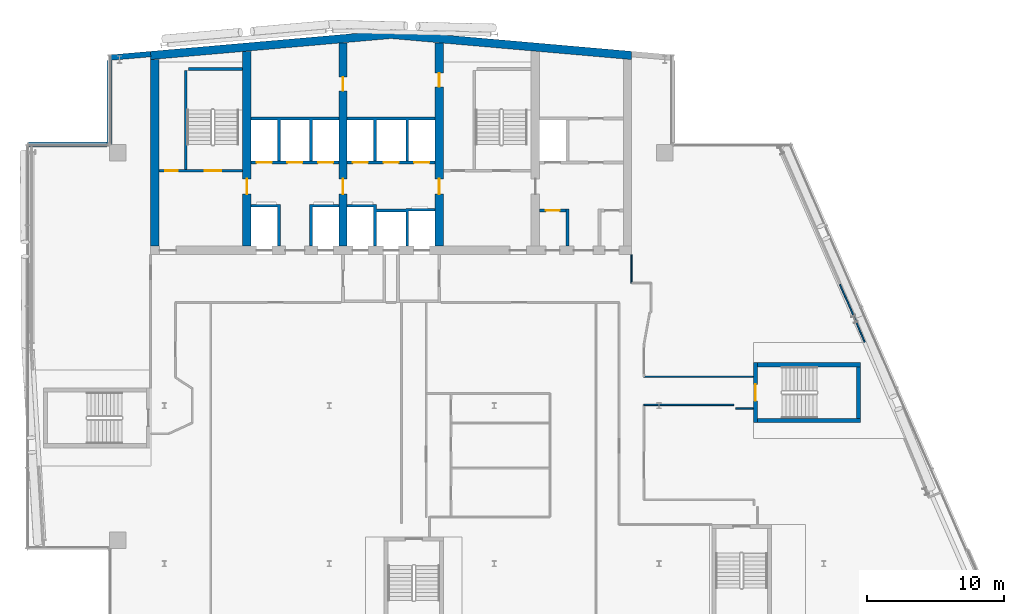
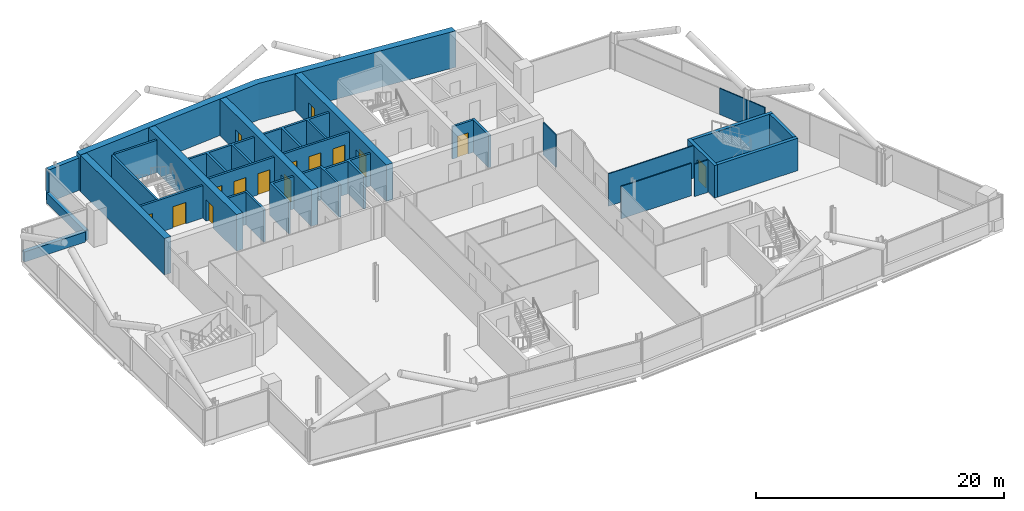
# One storey, part 17 of 25: 30 walls, 15 doors, 15 openings.
"""IFC4 building model written with IfcOpenShell, lengths in metres."""

from ifc_helpers import new_model, si_unit, direction, frame, frame_2d, origin, place, context, subcontext, project, spatial, polyline, rectangle, outline, extrude, material, layer, layer_set, type_object, element, fill, save


model = new_model("IFC4")

# Units and contexts
model_context = context("Model", 3, precision=1e-05, world=origin(), true_north=direction((0.0, 1.0)))
body_context = subcontext(model_context, "Body", "Model", "MODEL_VIEW")
ifc_project = project(units=[si_unit("LENGTHUNIT", "METRE"), si_unit("AREAUNIT", "SQUARE_METRE"), si_unit("VOLUMEUNIT", "CUBIC_METRE"), si_unit("PLANEANGLEUNIT", "RADIAN"), si_unit("MASSUNIT", "GRAM", prefix="KILO")], contexts=[model_context])

# Site, building, storey
site_placement = place(None, origin())
site = spatial("IfcSite", under=ifc_project, at=site_placement, CompositionType="ELEMENT")
building_placement = place(site_placement, origin())
building = spatial("IfcBuilding", under=site, at=building_placement, Name="Wharfspan Tower", CompositionType="ELEMENT")
storey_placement = place(building_placement, frame((0.0, 0.0, 232.300049)))
storey = spatial("IfcBuildingStorey", under=building, at=storey_placement, Name="L58", CompositionType="ELEMENT", Elevation=232.300049)

# Walls
ifc_material_1 = material(Name="Gypsum board on steel studs", Category="steel")
ifc_layer_1 = layer(ifc_material_1, 0.100098)
ifc_layer_set_1 = layer_set([ifc_layer_1], Name="Gypsum board on steel studs")
wall_type_1 = type_object("IfcWallType", Name="Compartment wall 100 EI 60", PredefinedType="PARTITIONING", material=ifc_layer_set_1)
wall_1_placement = place(storey_placement, frame((58.0, 31.925049, 0.0), z_axis=(0.0, 0.0, 1.0), x_axis=(0.0, 1.0, 0.0)))
element("IfcWall", 1, at=wall_1_placement, inside=storey, type_object=wall_type_1, Name="Partition L58.w028", PredefinedType="PARTITIONING", context=body_context, shape_type="SweptSolid", body=[
    extrude(rectangle(XDim=2.054932, YDim=0.100098, at=frame_2d((1.027344, 0.0))), origin(), (0.0, 0.0, 1.0), 3.199951),
])
wall_2_placement = place(storey_placement, frame((58.899902, 23.050049, 0.0), z_axis=(0.0, 0.0, 1.0), x_axis=(1.0, 0.0, 0.0)))
element("IfcWall", 2, at=wall_2_placement, inside=storey, type_object=wall_type_1, Name="Partition L58.w032", PredefinedType="PARTITIONING", context=body_context, shape_type="SweptSolid", body=[
    extrude(rectangle(XDim=6.550049, YDim=0.100098, at=frame_2d((3.274902, 0.0))), origin(), (0.0, 0.0, 1.0), 3.199951),
])
wall_3_placement = place(storey_placement, frame((58.899902, 25.100098, 0.0), z_axis=(0.0, 0.0, 1.0), x_axis=(1.0, 0.0, 0.0)))
element("IfcWall", 3, at=wall_3_placement, inside=storey, type_object=wall_type_1, Name="Partition L58.w034", PredefinedType="PARTITIONING", context=body_context, shape_type="SweptSolid", body=[
    extrude(rectangle(XDim=7.949707, YDim=0.100098, at=frame_2d((3.974854, 0.0))), origin(), (0.0, 0.0, 1.0), 3.199951),
])
wall_4_placement = place(storey_placement, frame((65.570068, 22.800049, 0.0), z_axis=(0.0, 0.0, 1.0), x_axis=(1.0, 0.0, 0.0)))
element("IfcWall", 4, at=wall_4_placement, inside=storey, type_object=wall_type_1, Name="Partition L58.w040", PredefinedType="PARTITIONING", context=body_context, shape_type="SweptSolid", body=[
    extrude(rectangle(XDim=1.279541, YDim=0.100098, at=frame_2d((0.639648, 0.0))), origin(), (0.0, 0.0, 1.0), 3.199951),
])

# Wall, opening, door
ifc_material_2 = material(Name="Calcium silicate masonry", Category="masonry")
ifc_layer_2 = layer(ifc_material_2, 0.199951)
ifc_layer_set_2 = layer_set([ifc_layer_2], Name="Calcium silicate masonry")
wall_type_2 = type_object("IfcWallType", Name="Core room wall 200", PredefinedType="PARTITIONING", material=ifc_layer_set_2)
wall_5_placement = place(storey_placement, frame((51.300049, 37.199951, 0.0), z_axis=(0.0, 0.0, 1.0), x_axis=(1.0, 0.0, 0.0)))
wall_5 = element("IfcWall", 5, at=wall_5_placement, inside=storey, type_object=wall_type_2, Name="sw:L58:FR6.1", PredefinedType="PARTITIONING", context=body_context, shape_type="SweptSolid", body=[
    extrude(rectangle(XDim=1.93335, YDim=0.199951, at=frame_2d((0.966797, 0.0))), origin(), (0.0, 0.0, 1.0), 3.199951),
])
opening_1_placement = place(wall_5_placement, frame((0.466797, 0.0, 0.0)))
opening_1 = element("IfcOpeningElement", 6, at=opening_1_placement, cuts=wall_5, Name="Opening CD58.6H1", PredefinedType="OPENING", context=body_context, shape_type="SweptSolid", body=[
    extrude(rectangle(XDim=1.0, YDim=2.100098, at=frame_2d((0.5, 1.050049))), frame((0.0, 0.109863, 0.0), z_axis=(0.0, -1.0, 0.0), x_axis=(1.0, 0.0, 0.0)), (0.0, 0.0, 1.0), 0.219971),
])
ifc_material_3 = material(Name="Steel door leaf", Category="steel")
door_type_1 = type_object("IfcDoorType", Name="Core room door 1000x2100", OperationType="SINGLE_SWING_LEFT", PredefinedType="DOOR", material=ifc_material_3)
door_1_placement = place(opening_1_placement, origin())
door_1 = element("IfcDoor", 7, at=door_1_placement, inside=storey, type_object=door_type_1, Name="d:L58:6:fh6.1", OperationType="SINGLE_SWING_RIGHT", OverallHeight=2.100098, OverallWidth=1.0, PredefinedType="DOOR", context=body_context, shape_type="SweptSolid", body=[
    extrude(rectangle(XDim=1.0, YDim=2.100098, at=frame_2d((0.5, 1.050049))), frame((0.0, 0.024902, 0.0), z_axis=(0.0, -1.0, 0.0), x_axis=(1.0, 0.0, 0.0)), (0.0, 0.0, 1.0), 0.050049),
])
fill(opening_1, door_1)

# Walls
ifc_material_4 = material(Name="Concrete C50/60", Category="concrete")
ifc_layer_3 = layer(ifc_material_4, 0.600098)
ifc_layer_set_3 = layer_set([ifc_layer_3], Name="Concrete C50/60")
wall_type_3 = type_object("IfcWallType", Name="Core wall 600 C50/60", PredefinedType="SHEAR", material=ifc_layer_set_3)
wall_6_placement = place(storey_placement, frame((0.0, 0.0, -0.000244)))
element("IfcWall", 8, at=wall_6_placement, inside=storey, type_object=wall_type_3, Name="Core rear wall L58", PredefinedType="SHEAR", context=body_context, shape_type="SweptSolid", body=[
    extrude(outline(polyline([(23.0, 48.185059), (40.5, 49.716064), (58.0, 48.185059), (58.0, 48.787354), (40.5, 50.318359), (23.0, 48.787354), (23.0, 48.185059)])), origin(), (0.0, 0.0, 1.0), 3.600098),
])
wall_7_placement = place(storey_placement, frame((23.300049, 34.600098, 0.0), z_axis=(0.0, 0.0, 1.0), x_axis=(0.0, 1.0, 0.0)))
element("IfcWall", 9, at=wall_7_placement, inside=storey, type_object=wall_type_3, Name="Core cross wall EW0 L58", PredefinedType="SHEAR", context=body_context, shape_type="SweptSolid", body=[
    extrude(rectangle(XDim=13.584961, YDim=0.600098, at=frame_2d((6.79248, 0.0))), origin(), (0.0, 0.0, 1.0), 3.599854),
])

# Wall, opening, door
wall_8_placement = place(storey_placement, frame((30.0, 34.600098, 0.0), z_axis=(0.0, 0.0, 1.0), x_axis=(0.0, 1.0, 0.0)))
wall_8 = element("IfcWall", 10, at=wall_8_placement, inside=storey, type_object=wall_type_3, Name="Core cross wall X3 L58", PredefinedType="SHEAR", context=body_context, shape_type="SweptSolid", body=[
    extrude(rectangle(XDim=14.171143, YDim=0.600098, at=frame_2d((7.085449, 0.0))), origin(), (0.0, 0.0, 1.0), 3.599854),
])
opening_2_placement = place(wall_8_placement, frame((3.800049, 0.0, 0.0)))
opening_2 = element("IfcOpeningElement", 11, at=opening_2_placement, cuts=wall_8, Name="Opening CC58.3", PredefinedType="OPENING", context=body_context, shape_type="SweptSolid", body=[
    extrude(rectangle(XDim=1.100098, YDim=2.100098, at=frame_2d((0.550049, 1.050049))), frame((0.0, 0.310059, 0.0), z_axis=(0.0, -1.0, 0.0), x_axis=(1.0, 0.0, 0.0)), (0.0, 0.0, 1.0), 0.620117),
])
door_type_2 = type_object("IfcDoorType", Name="Core corridor door 1100x2100", OperationType="SINGLE_SWING_LEFT", PredefinedType="DOOR", material=ifc_material_3)
door_2_placement = place(opening_2_placement, origin())
door_2 = element("IfcDoor", 12, at=door_2_placement, inside=storey, type_object=door_type_2, Name="xd:L58:3", OperationType="SINGLE_SWING_LEFT", OverallHeight=2.100098, OverallWidth=1.100098, PredefinedType="DOOR", context=body_context, shape_type="SweptSolid", body=[
    extrude(rectangle(XDim=1.100098, YDim=2.100098, at=frame_2d((0.550049, 1.050049))), frame((0.0, 0.024902, 0.0), z_axis=(0.0, -1.0, 0.0), x_axis=(1.0, 0.0, 0.0)), (0.0, 0.0, 1.0), 0.050049),
])
fill(opening_2, door_2)

# Wall, openings, doors
wall_9_placement = place(storey_placement, frame((37.0, 34.600098, 0.0), z_axis=(0.0, 0.0, 1.0), x_axis=(0.0, 1.0, 0.0)))
wall_9 = element("IfcWall", 13, at=wall_9_placement, inside=storey, type_object=wall_type_3, Name="Core cross wall X4 L58", PredefinedType="SHEAR", context=body_context, shape_type="SweptSolid", body=[
    extrude(rectangle(XDim=14.783691, YDim=0.600098, at=frame_2d((7.391846, 0.0))), origin(), (0.0, 0.0, 1.0), 3.599854),
])
opening_3_placement = place(wall_9_placement, frame((11.302002, 0.0, 0.0)))
opening_3 = element("IfcOpeningElement", 14, at=opening_3_placement, cuts=wall_9, Name="Opening CD58.3X", PredefinedType="OPENING", context=body_context, shape_type="SweptSolid", body=[
    extrude(rectangle(XDim=1.0, YDim=2.100098, at=frame_2d((0.5, 1.050049))), frame((0.0, 0.310059, 0.0), z_axis=(0.0, -1.0, 0.0), x_axis=(1.0, 0.0, 0.0)), (0.0, 0.0, 1.0), 0.620117),
])
opening_4_placement = place(wall_9_placement, frame((3.800049, 0.0, 0.0)))
opening_4 = element("IfcOpeningElement", 15, at=opening_4_placement, cuts=wall_9, Name="Opening CC58.4", PredefinedType="OPENING", context=body_context, shape_type="SweptSolid", body=[
    extrude(rectangle(XDim=1.100098, YDim=2.100098, at=frame_2d((0.550049, 1.050049))), frame((0.0, 0.310059, 0.0), z_axis=(0.0, -1.0, 0.0), x_axis=(1.0, 0.0, 0.0)), (0.0, 0.0, 1.0), 0.620117),
])
door_3_placement = place(opening_4_placement, origin())
door_3 = element("IfcDoor", 16, at=door_3_placement, inside=storey, type_object=door_type_2, Name="xd:L58:4", OperationType="SINGLE_SWING_RIGHT", OverallHeight=2.100098, OverallWidth=1.100098, PredefinedType="DOOR", context=body_context, shape_type="SweptSolid", body=[
    extrude(rectangle(XDim=1.100098, YDim=2.100098, at=frame_2d((0.550049, 1.050049))), frame((0.0, 0.024902, 0.0), z_axis=(0.0, -1.0, 0.0), x_axis=(1.0, 0.0, 0.0)), (0.0, 0.0, 1.0), 0.050049),
])
fill(opening_4, door_3)
door_4_placement = place(opening_3_placement, origin())
door_4 = element("IfcDoor", 17, at=door_4_placement, inside=storey, type_object=door_type_1, Name="d:L58:3:sx", OperationType="SINGLE_SWING_LEFT", OverallHeight=2.100098, OverallWidth=1.0, PredefinedType="DOOR", context=body_context, shape_type="SweptSolid", body=[
    extrude(rectangle(XDim=1.0, YDim=2.100098, at=frame_2d((0.5, 1.050049))), frame((0.0, 0.024902, 0.0), z_axis=(0.0, -1.0, 0.0), x_axis=(1.0, 0.0, 0.0)), (0.0, 0.0, 1.0), 0.050049),
])
fill(opening_3, door_4)

wall_10_placement = place(storey_placement, frame((44.0, 34.600098, 0.0), z_axis=(0.0, 0.0, 1.0), x_axis=(0.0, 1.0, 0.0)))
wall_10 = element("IfcWall", 18, at=wall_10_placement, inside=storey, type_object=wall_type_3, Name="Core cross wall X5 L58", PredefinedType="SHEAR", context=body_context, shape_type="SweptSolid", body=[
    extrude(rectangle(XDim=14.783691, YDim=0.600098, at=frame_2d((7.391846, 0.0))), origin(), (0.0, 0.0, 1.0), 3.599854),
])
opening_5_placement = place(wall_10_placement, frame((11.608154, 0.0, 0.0)))
opening_5 = element("IfcOpeningElement", 19, at=opening_5_placement, cuts=wall_10, Name="Opening CD58.4X", PredefinedType="OPENING", context=body_context, shape_type="SweptSolid", body=[
    extrude(rectangle(XDim=1.0, YDim=2.100098, at=frame_2d((0.5, 1.050049))), frame((0.0, 0.310059, 0.0), z_axis=(0.0, -1.0, 0.0), x_axis=(1.0, 0.0, 0.0)), (0.0, 0.0, 1.0), 0.620117),
])
opening_6_placement = place(wall_10_placement, frame((3.800049, 0.0, 0.0)))
opening_6 = element("IfcOpeningElement", 20, at=opening_6_placement, cuts=wall_10, Name="Opening CC58.5", PredefinedType="OPENING", context=body_context, shape_type="SweptSolid", body=[
    extrude(rectangle(XDim=1.100098, YDim=2.100098, at=frame_2d((0.550049, 1.050049))), frame((0.0, 0.310059, 0.0), z_axis=(0.0, -1.0, 0.0), x_axis=(1.0, 0.0, 0.0)), (0.0, 0.0, 1.0), 0.620117),
])
door_5_placement = place(opening_6_placement, origin())
door_5 = element("IfcDoor", 21, at=door_5_placement, inside=storey, type_object=door_type_2, Name="xd:L58:5", OperationType="SINGLE_SWING_LEFT", OverallHeight=2.100098, OverallWidth=1.100098, PredefinedType="DOOR", context=body_context, shape_type="SweptSolid", body=[
    extrude(rectangle(XDim=1.100098, YDim=2.100098, at=frame_2d((0.550049, 1.050049))), frame((0.0, 0.024902, 0.0), z_axis=(0.0, -1.0, 0.0), x_axis=(1.0, 0.0, 0.0)), (0.0, 0.0, 1.0), 0.050049),
])
fill(opening_6, door_5)
door_6_placement = place(opening_5_placement, origin())
door_6 = element("IfcDoor", 22, at=door_6_placement, inside=storey, type_object=door_type_1, Name="d:L58:4:sx", OperationType="SINGLE_SWING_LEFT", OverallHeight=2.100098, OverallWidth=1.0, PredefinedType="DOOR", context=body_context, shape_type="SweptSolid", body=[
    extrude(rectangle(XDim=1.0, YDim=2.100098, at=frame_2d((0.5, 1.050049))), frame((0.0, 0.024902, 0.0), z_axis=(0.0, -1.0, 0.0), x_axis=(1.0, 0.0, 0.0)), (0.0, 0.0, 1.0), 0.050049),
])
fill(opening_5, door_6)

ifc_material_5 = material(Name="Concrete C30/37", Category="concrete")
ifc_layer_4 = layer(ifc_material_5, 0.199951)
ifc_layer_set_4 = layer_set([ifc_layer_4], Name="Concrete C30/37")
wall_type_4 = type_object("IfcWallType", Name="Lift shaft wall 200", PredefinedType="PARTITIONING", material=ifc_layer_set_4)
wall_11_placement = place(storey_placement, frame((30.300049, 40.699951, 0.0), z_axis=(0.0, 0.0, 1.0), x_axis=(1.0, 0.0, 0.0)))
wall_11 = element("IfcWall", 23, at=wall_11_placement, inside=storey, type_object=wall_type_4, Name="sw:L58:RF3", PredefinedType="PARTITIONING", context=body_context, shape_type="SweptSolid", body=[
    extrude(rectangle(XDim=6.399902, YDim=0.199951, at=frame_2d((3.199951, 0.0))), origin(), (0.0, 0.0, 1.0), 3.199951),
])
opening_7_placement = place(wall_11_placement, frame((0.416748, 0.0, 0.0)))
opening_7 = element("IfcOpeningElement", 24, at=opening_7_placement, cuts=wall_11, Name="Opening LD.LB1.L58", PredefinedType="OPENING", context=body_context, shape_type="SweptSolid", body=[
    extrude(rectangle(XDim=1.100098, YDim=2.100098, at=frame_2d((0.550049, 1.050049))), frame((0.0, 0.109863, 0.0), z_axis=(0.0, -1.0, 0.0), x_axis=(1.0, 0.0, 0.0)), (0.0, 0.0, 1.0), 0.219971),
])
opening_8_placement = place(wall_11_placement, frame((2.649902, 0.0, 0.0)))
opening_8 = element("IfcOpeningElement", 25, at=opening_8_placement, cuts=wall_11, Name="Opening LD.LB2.L58", PredefinedType="OPENING", context=body_context, shape_type="SweptSolid", body=[
    extrude(rectangle(XDim=1.100098, YDim=2.100098, at=frame_2d((0.550049, 1.050049))), frame((0.0, 0.109863, 0.0), z_axis=(0.0, -1.0, 0.0), x_axis=(1.0, 0.0, 0.0)), (0.0, 0.0, 1.0), 0.219971),
])
opening_9_placement = place(wall_11_placement, frame((4.883301, 0.0, 0.0)))
opening_9 = element("IfcOpeningElement", 26, at=opening_9_placement, cuts=wall_11, Name="Opening LD.LB3.L58", PredefinedType="OPENING", context=body_context, shape_type="SweptSolid", body=[
    extrude(rectangle(XDim=1.100098, YDim=2.100098, at=frame_2d((0.550049, 1.050049))), frame((0.0, 0.109863, 0.0), z_axis=(0.0, -1.0, 0.0), x_axis=(1.0, 0.0, 0.0)), (0.0, 0.0, 1.0), 0.219971),
])
ifc_material_6 = material(Name="Stainless steel", Category="steel")
door_type_3 = type_object("IfcDoorType", Name="Lift landing door 1100x2100", OperationType="DOUBLE_DOOR_SLIDING", PredefinedType="DOOR", material=ifc_material_6)
door_7_placement = place(opening_7_placement, origin())
door_7 = element("IfcDoor", 27, at=door_7_placement, inside=storey, type_object=door_type_3, Name="Landing door LB1 L58", OperationType="DOUBLE_DOOR_SLIDING", OverallHeight=2.100098, OverallWidth=1.100098, PredefinedType="DOOR", context=body_context, shape_type="SweptSolid", body=[
    extrude(rectangle(XDim=1.100098, YDim=2.100098, at=frame_2d((0.550049, 1.050049))), frame((0.0, 0.024902, 0.0), z_axis=(0.0, -1.0, 0.0), x_axis=(1.0, 0.0, 0.0)), (0.0, 0.0, 1.0), 0.050049),
])
fill(opening_7, door_7)
door_8_placement = place(opening_8_placement, origin())
door_8 = element("IfcDoor", 28, at=door_8_placement, inside=storey, type_object=door_type_3, Name="Landing door LB2 L58", OperationType="DOUBLE_DOOR_SLIDING", OverallHeight=2.100098, OverallWidth=1.100098, PredefinedType="DOOR", context=body_context, shape_type="SweptSolid", body=[
    extrude(rectangle(XDim=1.100098, YDim=2.100098, at=frame_2d((0.550049, 1.050049))), frame((0.0, 0.024902, 0.0), z_axis=(0.0, -1.0, 0.0), x_axis=(1.0, 0.0, 0.0)), (0.0, 0.0, 1.0), 0.050049),
])
fill(opening_8, door_8)
door_9_placement = place(opening_9_placement, origin())
door_9 = element("IfcDoor", 29, at=door_9_placement, inside=storey, type_object=door_type_3, Name="Landing door LB3 L58", OperationType="DOUBLE_DOOR_SLIDING", OverallHeight=2.100098, OverallWidth=1.100098, PredefinedType="DOOR", context=body_context, shape_type="SweptSolid", body=[
    extrude(rectangle(XDim=1.100098, YDim=2.100098, at=frame_2d((0.550049, 1.050049))), frame((0.0, 0.024902, 0.0), z_axis=(0.0, -1.0, 0.0), x_axis=(1.0, 0.0, 0.0)), (0.0, 0.0, 1.0), 0.050049),
])
fill(opening_9, door_9)

# Walls
wall_12_placement = place(storey_placement, frame((0.0, 0.0, -0.000244)))
element("IfcWall", 30, at=wall_12_placement, inside=storey, type_object=wall_type_4, Name="sw:L58:FM3.0", PredefinedType="PARTITIONING", context=body_context, shape_type="SweptSolid", body=[
    extrude(outline(polyline([(32.233398, 37.449951), (30.300049, 37.449951), (30.300049, 37.649902), (32.233398, 37.649902), (32.43335, 37.649902), (32.43335, 34.600098), (32.233398, 34.600098), (32.233398, 37.449951)])), origin(), (0.0, 0.0, 1.0), 3.200195),
])
wall_13_placement = place(storey_placement, frame((0.0, 0.0, -0.000244)))
element("IfcWall", 31, at=wall_13_placement, inside=storey, type_object=wall_type_4, Name="sw:L58:FM3.1", PredefinedType="PARTITIONING", context=body_context, shape_type="SweptSolid", body=[
    extrude(outline(polyline([(34.56665, 37.649902), (34.766602, 37.649902), (36.699951, 37.649902), (36.699951, 37.449951), (34.766602, 37.449951), (34.766602, 34.600098), (34.56665, 34.600098), (34.56665, 37.649902)])), origin(), (0.0, 0.0, 1.0), 3.200195),
])
wall_14_placement = place(storey_placement, frame((0.0, 0.0, -0.000244)))
element("IfcWall", 32, at=wall_14_placement, inside=storey, type_object=wall_type_4, Name="sw:L58:RM3.0", PredefinedType="PARTITIONING", context=body_context, shape_type="SweptSolid", body=[
    extrude(outline(polyline([(32.43335, 40.800049), (32.233398, 40.800049), (32.233398, 43.800049), (30.300049, 43.800049), (30.300049, 44.0), (36.699951, 44.0), (36.699951, 43.800049), (34.766602, 43.800049), (34.766602, 40.800049), (34.56665, 40.800049), (34.56665, 43.800049), (32.43335, 43.800049), (32.43335, 40.800049)])), origin(), (0.0, 0.0, 1.0), 3.200195),
])

# Wall, openings, doors
wall_15_placement = place(storey_placement, frame((37.300049, 40.699951, 0.0), z_axis=(0.0, 0.0, 1.0), x_axis=(1.0, 0.0, 0.0)))
wall_15 = element("IfcWall", 33, at=wall_15_placement, inside=storey, type_object=wall_type_4, Name="sw:L58:RF4", PredefinedType="PARTITIONING", context=body_context, shape_type="SweptSolid", body=[
    extrude(rectangle(XDim=6.399902, YDim=0.199951, at=frame_2d((3.199951, 0.0))), origin(), (0.0, 0.0, 1.0), 3.199951),
])
opening_10_placement = place(wall_15_placement, frame((0.416748, 0.0, 0.0)))
opening_10 = element("IfcOpeningElement", 34, at=opening_10_placement, cuts=wall_15, Name="Opening LD.LB4.L58", PredefinedType="OPENING", context=body_context, shape_type="SweptSolid", body=[
    extrude(rectangle(XDim=1.100098, YDim=2.100098, at=frame_2d((0.550049, 1.050049))), frame((0.0, 0.109863, 0.0), z_axis=(0.0, -1.0, 0.0), x_axis=(1.0, 0.0, 0.0)), (0.0, 0.0, 1.0), 0.219971),
])
opening_11_placement = place(wall_15_placement, frame((2.649902, 0.0, 0.0)))
opening_11 = element("IfcOpeningElement", 35, at=opening_11_placement, cuts=wall_15, Name="Opening LD.LB5.L58", PredefinedType="OPENING", context=body_context, shape_type="SweptSolid", body=[
    extrude(rectangle(XDim=1.100098, YDim=2.100098, at=frame_2d((0.550049, 1.050049))), frame((0.0, 0.109863, 0.0), z_axis=(0.0, -1.0, 0.0), x_axis=(1.0, 0.0, 0.0)), (0.0, 0.0, 1.0), 0.219971),
])
opening_12_placement = place(wall_15_placement, frame((4.883301, 0.0, 0.0)))
opening_12 = element("IfcOpeningElement", 36, at=opening_12_placement, cuts=wall_15, Name="Opening LD.LB6.L58", PredefinedType="OPENING", context=body_context, shape_type="SweptSolid", body=[
    extrude(rectangle(XDim=1.100098, YDim=2.100098, at=frame_2d((0.550049, 1.050049))), frame((0.0, 0.109863, 0.0), z_axis=(0.0, -1.0, 0.0), x_axis=(1.0, 0.0, 0.0)), (0.0, 0.0, 1.0), 0.219971),
])
door_10_placement = place(opening_10_placement, origin())
door_10 = element("IfcDoor", 37, at=door_10_placement, inside=storey, type_object=door_type_3, Name="Landing door LB4 L58", OperationType="DOUBLE_DOOR_SLIDING", OverallHeight=2.100098, OverallWidth=1.100098, PredefinedType="DOOR", context=body_context, shape_type="SweptSolid", body=[
    extrude(rectangle(XDim=1.100098, YDim=2.100098, at=frame_2d((0.550049, 1.050049))), frame((0.0, 0.024902, 0.0), z_axis=(0.0, -1.0, 0.0), x_axis=(1.0, 0.0, 0.0)), (0.0, 0.0, 1.0), 0.050049),
])
fill(opening_10, door_10)
door_11_placement = place(opening_11_placement, origin())
door_11 = element("IfcDoor", 38, at=door_11_placement, inside=storey, type_object=door_type_3, Name="Landing door LB5 L58", OperationType="DOUBLE_DOOR_SLIDING", OverallHeight=2.100098, OverallWidth=1.100098, PredefinedType="DOOR", context=body_context, shape_type="SweptSolid", body=[
    extrude(rectangle(XDim=1.100098, YDim=2.100098, at=frame_2d((0.550049, 1.050049))), frame((0.0, 0.024902, 0.0), z_axis=(0.0, -1.0, 0.0), x_axis=(1.0, 0.0, 0.0)), (0.0, 0.0, 1.0), 0.050049),
])
fill(opening_11, door_11)
door_12_placement = place(opening_12_placement, origin())
door_12 = element("IfcDoor", 39, at=door_12_placement, inside=storey, type_object=door_type_3, Name="Landing door LB6 L58", OperationType="DOUBLE_DOOR_SLIDING", OverallHeight=2.100098, OverallWidth=1.100098, PredefinedType="DOOR", context=body_context, shape_type="SweptSolid", body=[
    extrude(rectangle(XDim=1.100098, YDim=2.100098, at=frame_2d((0.550049, 1.050049))), frame((0.0, 0.024902, 0.0), z_axis=(0.0, -1.0, 0.0), x_axis=(1.0, 0.0, 0.0)), (0.0, 0.0, 1.0), 0.050049),
])
fill(opening_12, door_12)

# Walls
wall_16_placement = place(storey_placement, frame((0.0, 0.0, -0.000244)))
element("IfcWall", 40, at=wall_16_placement, inside=storey, type_object=wall_type_4, Name="sw:L58:FM4.0", PredefinedType="PARTITIONING", context=body_context, shape_type="SweptSolid", body=[
    extrude(outline(polyline([(41.56665, 37.100098), (39.43335, 37.100098), (39.43335, 34.600098), (39.233398, 34.600098), (39.233398, 37.449951), (37.300049, 37.449951), (37.300049, 37.649902), (39.233398, 37.649902), (39.43335, 37.649902), (39.43335, 37.300049), (41.56665, 37.300049), (41.56665, 37.350098), (41.766602, 37.350098), (43.699951, 37.350098), (43.699951, 37.149902), (41.766602, 37.149902), (41.766602, 34.600098), (41.56665, 34.600098), (41.56665, 37.100098)])), origin(), (0.0, 0.0, 1.0), 3.200195),
])
wall_17_placement = place(storey_placement, frame((0.0, 0.0, -0.000244)))
element("IfcWall", 41, at=wall_17_placement, inside=storey, type_object=wall_type_4, Name="sw:L58:RM4.0", PredefinedType="PARTITIONING", context=body_context, shape_type="SweptSolid", body=[
    extrude(outline(polyline([(39.43335, 40.800049), (39.233398, 40.800049), (39.233398, 43.800049), (37.300049, 43.800049), (37.300049, 44.0), (43.699951, 44.0), (43.699951, 43.800049), (41.766602, 43.800049), (41.766602, 40.800049), (41.56665, 40.800049), (41.56665, 43.800049), (39.43335, 43.800049), (39.43335, 40.800049)])), origin(), (0.0, 0.0, 1.0), 3.200195),
])
wall_18_placement = place(storey_placement, frame((0.0, 0.0, -0.000244)))
element("IfcWall", 42, at=wall_18_placement, inside=storey, type_object=wall_type_4, Name="sw:L58:FM6.0", PredefinedType="PARTITIONING", context=body_context, shape_type="SweptSolid", body=[
    extrude(outline(polyline([(53.233398, 34.600098), (53.233398, 37.300049), (53.43335, 37.300049), (53.43335, 34.600098), (53.233398, 34.600098)])), origin(), (0.0, 0.0, 1.0), 3.200195),
])
ifc_layer_5 = layer(ifc_material_1, 0.100098)
ifc_layer_set_5 = layer_set([ifc_layer_5], Name="Gypsum board on steel studs")
wall_type_5 = type_object("IfcWallType", Name="Partition 100", PredefinedType="PARTITIONING", material=ifc_layer_set_5)
wall_19_placement = place(storey_placement, frame((74.264893, 29.310059, 0.0), z_axis=(0.0, 0.0, 1.0), x_axis=(-0.401346, 0.915924, 0.0)))
element("IfcWall", 43, at=wall_19_placement, inside=storey, type_object=wall_type_5, Name="Partition L58.w046", PredefinedType="PARTITIONING", context=body_context, shape_type="SweptSolid", body=[
    extrude(rectangle(XDim=2.740479, YDim=0.100098, at=frame_2d((1.370117, 0.0))), origin(), (0.0, 0.0, 1.0), 2.579834),
])
wall_20_placement = place(storey_placement, frame((74.961914, 27.620117, 0.0), z_axis=(0.0, 0.0, 1.0), x_axis=(-0.381293, 0.924452, 0.0)))
element("IfcWall", 44, at=wall_20_placement, inside=storey, type_object=wall_type_5, Name="Partition L58.w047", PredefinedType="PARTITIONING", context=body_context, shape_type="SweptSolid", body=[
    extrude(rectangle(XDim=1.828125, YDim=0.100098, at=frame_2d((0.914062, 0.0))), origin(), (0.0, 0.0, 1.0), 2.579834),
])
ifc_material_7 = material(Name="Concrete C40/50", Category="concrete")
ifc_layer_6 = layer(ifc_material_7, 0.350098)
ifc_layer_set_6 = layer_set([ifc_layer_6], Name="Concrete C40/50")
wall_type_6 = type_object("IfcWallType", Name="SPANDREL EXPOSED CONCRETE 350", PredefinedType="SOLIDWALL", material=ifc_layer_set_6)
wall_21_placement = place(storey_placement, frame((19.995117, 48.126465, 0.0), z_axis=(0.0, 0.0, 1.0), x_axis=(0.0, -1.0, 0.0)))
element("IfcWall", 45, at=wall_21_placement, inside=storey, type_object=wall_type_6, Name="Spandrel upstand L58 NRW-V", PredefinedType="SOLIDWALL", context=body_context, shape_type="SweptSolid", body=[
    extrude(rectangle(XDim=6.126465, YDim=0.350098, at=frame_2d((3.063232, 0.0))), origin(), (0.0, 0.0, 1.0), 1.0),
])
wall_22_placement = place(storey_placement, frame((19.820068, 42.004883, 0.0), z_axis=(0.0, 0.0, 1.0), x_axis=(-1.0, 0.0, 0.0)))
element("IfcWall", 46, at=wall_22_placement, inside=storey, type_object=wall_type_6, Name="Spandrel upstand L58 NRW-H", PredefinedType="SOLIDWALL", context=body_context, shape_type="SweptSolid", body=[
    extrude(rectangle(XDim=5.699951, YDim=0.350098, at=frame_2d((2.850098, 0.0))), origin(), (0.0, 0.0, 1.0), 1.0),
])

# Wall, opening, door
ifc_layer_7 = layer(ifc_material_7, 0.300049)
ifc_layer_set_7 = layer_set([ifc_layer_7], Name="Concrete C40/50")
wall_type_7 = type_object("IfcWallType", Name="Stair core wall 300", PredefinedType="SHEAR", material=ifc_layer_set_7)
wall_23_placement = place(storey_placement, frame((67.019531, 21.774902, 0.0), z_axis=(0.0, 0.0, 1.0), x_axis=(0.0, 1.0, 0.0)))
wall_23 = element("IfcWall", 47, at=wall_23_placement, inside=storey, type_object=wall_type_7, Name="ST6 stair enclosure wall L58", PredefinedType="SHEAR", context=body_context, shape_type="SweptSolid", body=[
    extrude(rectangle(XDim=4.350098, YDim=0.300049, at=frame_2d((2.175049, 0.0))), origin(), (0.0, 0.0, 1.0), 3.199951),
])
opening_13_placement = place(wall_23_placement, frame((1.574951, 0.0, 0.0)))
opening_13 = element("IfcOpeningElement", 48, at=opening_13_placement, cuts=wall_23, Name="Opening SD6.L58", PredefinedType="OPENING", context=body_context, shape_type="SweptSolid", body=[
    extrude(rectangle(XDim=1.199951, YDim=2.100098, at=frame_2d((0.600098, 1.050049))), frame((0.0, 0.159912, 0.0), z_axis=(0.0, -1.0, 0.0), x_axis=(1.0, 0.0, 0.0)), (0.0, 0.0, 1.0), 0.320068),
])
door_type_4 = type_object("IfcDoorType", Name="Stair door 1200x2100", OperationType="SINGLE_SWING_LEFT", PredefinedType="DOOR", material=ifc_material_3)
door_13_placement = place(opening_13_placement, origin())
door_13 = element("IfcDoor", 49, at=door_13_placement, inside=storey, type_object=door_type_4, Name="sd:L58:ST6z4", OperationType="SINGLE_SWING_RIGHT", OverallHeight=2.100098, OverallWidth=1.199951, PredefinedType="DOOR", context=body_context, shape_type="SweptSolid", body=[
    extrude(rectangle(XDim=1.199951, YDim=2.100098, at=frame_2d((0.600098, 1.050049))), frame((0.0, 0.024902, 0.0), z_axis=(0.0, -1.0, 0.0), x_axis=(1.0, 0.0, 0.0)), (0.0, 0.0, 1.0), 0.050049),
])
fill(opening_13, door_13)

# Walls
for number, where, z_axis, x_axis, name in (
    (50, (67.169678, 21.925049, 0.0), (0.0, 0.0, 1.0), (1.0, 0.0, 0.0), "ST6 stair enclosure wall L58"),
    (51, (67.169678, 25.975098, 0.0), (0.0, 0.0, 1.0), (1.0, 0.0, 0.0), "ST6 stair enclosure wall L58"),
):
    element("IfcWall", number, at=place(storey_placement, frame(where, z_axis=z_axis, x_axis=x_axis)), inside=storey, type_object=wall_type_7, Name=name, PredefinedType="SHEAR", context=body_context, shape_type="SweptSolid", body=[
        extrude(rectangle(XDim=7.5, YDim=0.300049, at=frame_2d((3.75, 0.0))), origin(), (0.0, 0.0, 1.0), 3.199951),
    ])
wall_24_placement = place(storey_placement, frame((74.519531, 22.074951, 0.0), z_axis=(0.0, 0.0, 1.0), x_axis=(0.0, 1.0, 0.0)))
element("IfcWall", 52, at=wall_24_placement, inside=storey, type_object=wall_type_7, Name="ST6 stair enclosure wall L58", PredefinedType="SHEAR", context=body_context, shape_type="SweptSolid", body=[
    extrude(rectangle(XDim=3.75, YDim=0.300049, at=frame_2d((1.875, 0.0))), origin(), (0.0, 0.0, 1.0), 3.199951),
])

# Wall, openings, doors
ifc_layer_8 = layer(ifc_material_7, 0.199951)
ifc_layer_set_8 = layer_set([ifc_layer_8], Name="Concrete C40/50")
wall_type_8 = type_object("IfcWallType", Name="Stair shaft wall 200", PredefinedType="SHEAR", material=ifc_layer_set_8)
wall_25_placement = place(storey_placement, frame((23.600098, 40.100098, 0.0), z_axis=(0.0, 0.0, 1.0), x_axis=(1.0, 0.0, 0.0)))
wall_25 = element("IfcWall", 53, at=wall_25_placement, inside=storey, type_object=wall_type_8, Name="ST1 stair enclosure wall L58", PredefinedType="SHEAR", context=body_context, shape_type="SweptSolid", body=[
    extrude(rectangle(XDim=6.099854, YDim=0.199951, at=frame_2d((3.049805, 0.0))), origin(), (0.0, 0.0, 1.0), 3.199951),
])
opening_14_placement = place(wall_25_placement, frame((3.324951, 0.0, 0.0)))
opening_14 = element("IfcOpeningElement", 54, at=opening_14_placement, cuts=wall_25, Name="Opening SD2.L58", PredefinedType="OPENING", context=body_context, shape_type="SweptSolid", body=[
    extrude(rectangle(XDim=1.199951, YDim=2.100098, at=frame_2d((0.600098, 1.050049))), frame((0.0, 0.109863, 0.0), z_axis=(0.0, -1.0, 0.0), x_axis=(1.0, 0.0, 0.0)), (0.0, 0.0, 1.0), 0.219971),
])
opening_15_placement = place(wall_25_placement, frame((0.475098, 0.0, 0.0)))
opening_15 = element("IfcOpeningElement", 55, at=opening_15_placement, cuts=wall_25, Name="Opening CD58.2R", PredefinedType="OPENING", context=body_context, shape_type="SweptSolid", body=[
    extrude(rectangle(XDim=0.899902, YDim=2.100098, at=frame_2d((0.449951, 1.050049))), frame((0.0, 0.109863, 0.0), z_axis=(0.0, -1.0, 0.0), x_axis=(1.0, 0.0, 0.0)), (0.0, 0.0, 1.0), 0.219971),
])
door_14_placement = place(opening_15_placement, origin())
door_14 = element("IfcDoor", 56, at=door_14_placement, inside=storey, type_object=door_type_1, Name="rk:L58:2", OperationType="SINGLE_SWING_LEFT", OverallHeight=2.100098, OverallWidth=0.899902, PredefinedType="DOOR", context=body_context, shape_type="SweptSolid", body=[
    extrude(rectangle(XDim=0.899902, YDim=2.100098, at=frame_2d((0.449951, 1.050049))), frame((0.0, 0.024902, 0.0), z_axis=(0.0, -1.0, 0.0), x_axis=(1.0, 0.0, 0.0)), (0.0, 0.0, 1.0), 0.050049),
])
fill(opening_15, door_14)
door_15_placement = place(opening_14_placement, origin())
door_15 = element("IfcDoor", 57, at=door_15_placement, inside=storey, type_object=door_type_4, Name="sd:L58:2", OperationType="SINGLE_SWING_RIGHT", OverallHeight=2.100098, OverallWidth=1.199951, PredefinedType="DOOR", context=body_context, shape_type="SweptSolid", body=[
    extrude(rectangle(XDim=1.199951, YDim=2.100098, at=frame_2d((0.600098, 1.050049))), frame((0.0, 0.024902, 0.0), z_axis=(0.0, -1.0, 0.0), x_axis=(1.0, 0.0, 0.0)), (0.0, 0.0, 1.0), 0.050049),
])
fill(opening_14, door_15)

# Walls
wall_26_placement = place(storey_placement, frame((25.550049, 40.199951, 0.0), z_axis=(0.0, 0.0, 1.0), x_axis=(0.0, 1.0, 0.0)))
element("IfcWall", 58, at=wall_26_placement, inside=storey, type_object=wall_type_8, Name="ST1 stair enclosure wall L58", PredefinedType="SHEAR", context=body_context, shape_type="SweptSolid", body=[
    extrude(rectangle(XDim=7.199951, YDim=0.199951, at=frame_2d((3.600098, 0.0))), origin(), (0.0, 0.0, 1.0), 3.199951),
])
wall_27_placement = place(storey_placement, frame((25.75, 47.5, 0.0), z_axis=(0.0, 0.0, 1.0), x_axis=(1.0, 0.0, 0.0)))
element("IfcWall", 59, at=wall_27_placement, inside=storey, type_object=wall_type_8, Name="ST1 stair enclosure wall L58", PredefinedType="SHEAR", context=body_context, shape_type="SweptSolid", body=[
    extrude(rectangle(XDim=3.949951, YDim=0.199951, at=frame_2d((1.975098, 0.0))), origin(), (0.0, 0.0, 1.0), 3.199951),
])
ifc_layer_9 = layer(ifc_material_7, 0.399902)
ifc_layer_set_9 = layer_set([ifc_layer_9], Name="Concrete C40/50")
wall_type_9 = type_object("IfcWallType", Name="WALL EXPOSED CONCRETE 400", PredefinedType="SOLIDWALL", material=ifc_layer_set_9)
wall_28_placement = place(storey_placement, frame((23.0, 48.58667, 0.0), z_axis=(0.0, 0.0, 1.0), x_axis=(-0.996194, -0.087168, 0.0)))
element("IfcWall", 60, at=wall_28_placement, inside=storey, type_object=wall_type_9, Name="Rear wall N1", PredefinedType="SOLIDWALL", context=body_context, shape_type="SweptSolid", body=[
    extrude(rectangle(XDim=2.994141, YDim=0.399902, at=frame_2d((1.49707, 0.0))), origin(), (0.0, 0.0, 1.0), 3.199951),
])

save(model, "model.ifc")
